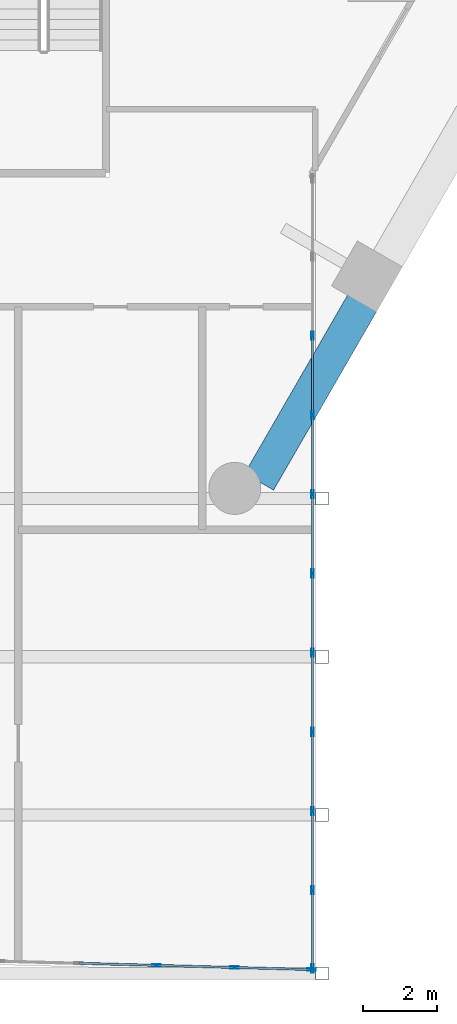
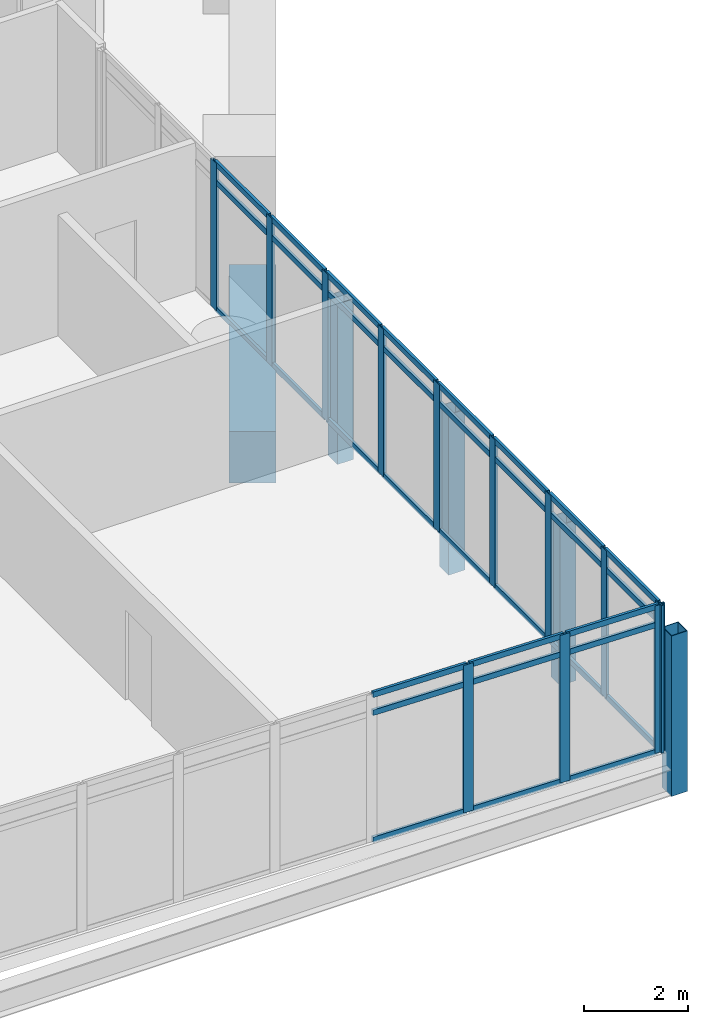
# One storey, part 10 of 28: 49 members, 1 beam, 2 elements without a shape of their own.
"""IFC4 building model written with IfcOpenShell, lengths in metres."""

from ifc_helpers import new_model, si_unit, direction, frame, origin, origin_2d, place, context, subcontext, project, spatial, rectangle, hollow_rectangle, extrude, material, material_profile, profile_set, type_object, element, aggregate, save


model = new_model("IFC4")

# Units and contexts
model_context = context("Model", 3, precision=1e-05, world=origin(), true_north=direction((0.0, 1.0)))
body_context = subcontext(model_context, "Body", "Model", "MODEL_VIEW")
ifc_project = project(units=[si_unit("LENGTHUNIT", "METRE"), si_unit("AREAUNIT", "SQUARE_METRE"), si_unit("VOLUMEUNIT", "CUBIC_METRE"), si_unit("PLANEANGLEUNIT", "RADIAN"), si_unit("MASSUNIT", "GRAM", prefix="KILO")], contexts=[model_context])

# Site, building, storey
site_placement = place(None, origin())
site = spatial("IfcSite", under=ifc_project, at=site_placement, CompositionType="ELEMENT")
building_placement = place(site_placement, origin())
building = spatial("IfcBuilding", under=site, at=building_placement, Name="Ostrander Bayou Hotel Tower", CompositionType="ELEMENT")
storey_placement = place(building_placement, frame((0.0, 0.0, 73.0)))
storey = spatial("IfcBuildingStorey", under=building, at=storey_placement, Name="L18", CompositionType="ELEMENT", Elevation=73.0)

# Curtain wall, members
ifc_material_1 = material(Name="Aluminium and clear glass", Category="aluminium")
curtain_wall_type = type_object("IfcCurtainWallType", Name="CW-BAR glazed wall", PredefinedType="NOTDEFINED", material=ifc_material_1)
curtain_wall_1_placement = place(storey_placement, origin())
curtain_wall_1 = element("IfcCurtainWall", 1, at=curtain_wall_1_placement, inside=storey, type_object=curtain_wall_type, Name="CW-BAR L18:SB1S:T", PredefinedType="NOTDEFINED")
ifc_material_2 = material(Name="Aluminium", Category="aluminium")
ifc_material_profile_1 = material_profile(ifc_material_2, hollow_rectangle(XDim=0.06005859375, YDim=0.219970703125, WallThickness=0.00390625, at=origin_2d()))
ifc_profile_set_1 = profile_set([ifc_material_profile_1], Name="Aluminium")
member_type_1 = type_object("IfcMemberType", Name="CW-BR mullion 60 x 220 mm", PredefinedType="MULLION", material=ifc_profile_set_1)
member_1_placement = place(storey_placement, frame((10.5087890625, -32.734375, 0.0), z_axis=(0.0, 0.0, 1.0), x_axis=(0.027042484848, 0.999634285133, 0.0)))
member_1 = element("IfcMember", 2, at=member_1_placement, type_object=member_type_1, Name="CW-BAR mullion 13", PredefinedType="MULLION", context=body_context, shape_type="SweptSolid", body=[
    extrude(hollow_rectangle(XDim=0.06005859375, YDim=0.219970703125, WallThickness=0.00390625, at=origin_2d()), origin(), (0.0, 0.0, 1.0), 3.449951171875),
])
member_2_placement = place(storey_placement, frame((12.6103515625, -32.791259765625, 0.0), z_axis=(0.0, 0.0, 1.0), x_axis=(0.027042484848, 0.999634285133, 0.0)))
member_2 = element("IfcMember", 3, at=member_2_placement, type_object=member_type_1, Name="CW-BAR mullion 14", PredefinedType="MULLION", context=body_context, shape_type="SweptSolid", body=[
    extrude(hollow_rectangle(XDim=0.06005859375, YDim=0.219970703125, WallThickness=0.00390625, at=origin_2d()), origin(), (0.0, 0.0, 1.0), 3.449951171875),
])
member_3_placement = place(storey_placement, frame((14.68212890625, -32.84716796875, 0.0), z_axis=(0.0, 0.0, 1.0), x_axis=(0.027042484848, 0.999634285133, 0.0)))
member_3 = element("IfcMember", 4, at=member_3_placement, type_object=member_type_1, Name="CW-BAR mullion 15", PredefinedType="MULLION", context=body_context, shape_type="SweptSolid", body=[
    extrude(hollow_rectangle(XDim=0.06005859375, YDim=0.219970703125, WallThickness=0.00390625, at=origin_2d()), origin(), (0.0, 0.0, 1.0), 3.449951171875),
])

curtain_wall_2_placement = place(storey_placement, origin())
curtain_wall_2 = element("IfcCurtainWall", 5, at=curtain_wall_2_placement, inside=storey, type_object=curtain_wall_type, Name="CW-BAR L18:SB1S:W", PredefinedType="NOTDEFINED")
member_4_placement = place(storey_placement, frame((14.712158203125, -15.78369140625, 0.0), z_axis=(0.0, 0.0, 1.0), x_axis=(1.0, 0.0, 0.0)))
member_4 = element("IfcMember", 6, at=member_4_placement, type_object=member_type_1, Name="CW-BAR mullion 3", PredefinedType="MULLION", context=body_context, shape_type="SweptSolid", body=[
    extrude(hollow_rectangle(XDim=0.06005859375, YDim=0.219970703125, WallThickness=0.00390625, at=origin_2d()), origin(), (0.0, 0.0, 1.0), 3.449951171875),
])
member_5_placement = place(storey_placement, frame((14.712158203125, -17.916748046875, 0.0), z_axis=(0.0, 0.0, 1.0), x_axis=(1.0, 0.0, 0.0)))
member_5 = element("IfcMember", 7, at=member_5_placement, type_object=member_type_1, Name="CW-BAR mullion 4", PredefinedType="MULLION", context=body_context, shape_type="SweptSolid", body=[
    extrude(hollow_rectangle(XDim=0.06005859375, YDim=0.219970703125, WallThickness=0.00390625, at=origin_2d()), origin(), (0.0, 0.0, 1.0), 3.449951171875),
])
member_6_placement = place(storey_placement, frame((14.712158203125, -20.0498046875, 0.0), z_axis=(0.0, 0.0, 1.0), x_axis=(1.0, 0.0, 0.0)))
member_6 = element("IfcMember", 8, at=member_6_placement, type_object=member_type_1, Name="CW-BAR mullion 5", PredefinedType="MULLION", context=body_context, shape_type="SweptSolid", body=[
    extrude(hollow_rectangle(XDim=0.06005859375, YDim=0.219970703125, WallThickness=0.00390625, at=origin_2d()), origin(), (0.0, 0.0, 1.0), 3.449951171875),
])
member_7_placement = place(storey_placement, frame((14.712158203125, -22.182861328125, 0.0), z_axis=(0.0, 0.0, 1.0), x_axis=(1.0, 0.0, 0.0)))
member_7 = element("IfcMember", 9, at=member_7_placement, type_object=member_type_1, Name="CW-BAR mullion 6", PredefinedType="MULLION", context=body_context, shape_type="SweptSolid", body=[
    extrude(hollow_rectangle(XDim=0.06005859375, YDim=0.219970703125, WallThickness=0.00390625, at=origin_2d()), origin(), (0.0, 0.0, 1.0), 3.449951171875),
])
member_8_placement = place(storey_placement, frame((14.712158203125, -24.31591796875, 0.0), z_axis=(0.0, 0.0, 1.0), x_axis=(1.0, 0.0, 0.0)))
member_8 = element("IfcMember", 10, at=member_8_placement, type_object=member_type_1, Name="CW-BAR mullion 7", PredefinedType="MULLION", context=body_context, shape_type="SweptSolid", body=[
    extrude(hollow_rectangle(XDim=0.06005859375, YDim=0.219970703125, WallThickness=0.00390625, at=origin_2d()), origin(), (0.0, 0.0, 1.0), 3.449951171875),
])
member_9_placement = place(storey_placement, frame((14.712158203125, -26.448974609375, 0.0), z_axis=(0.0, 0.0, 1.0), x_axis=(1.0, 0.0, 0.0)))
member_9 = element("IfcMember", 11, at=member_9_placement, type_object=member_type_1, Name="CW-BAR mullion 8", PredefinedType="MULLION", context=body_context, shape_type="SweptSolid", body=[
    extrude(hollow_rectangle(XDim=0.06005859375, YDim=0.219970703125, WallThickness=0.00390625, at=origin_2d()), origin(), (0.0, 0.0, 1.0), 3.449951171875),
])
member_10_placement = place(storey_placement, frame((14.712158203125, -28.58203125, 0.0), z_axis=(0.0, 0.0, 1.0), x_axis=(1.0, 0.0, 0.0)))
member_10 = element("IfcMember", 12, at=member_10_placement, type_object=member_type_1, Name="CW-BAR mullion 9", PredefinedType="MULLION", context=body_context, shape_type="SweptSolid", body=[
    extrude(hollow_rectangle(XDim=0.06005859375, YDim=0.219970703125, WallThickness=0.00390625, at=origin_2d()), origin(), (0.0, 0.0, 1.0), 3.449951171875),
])
member_11_placement = place(storey_placement, frame((14.712158203125, -30.715087890625, 0.0), z_axis=(0.0, 0.0, 1.0), x_axis=(1.0, 0.0, 0.0)))
member_11 = element("IfcMember", 13, at=member_11_placement, type_object=member_type_1, Name="CW-BAR mullion 10", PredefinedType="MULLION", context=body_context, shape_type="SweptSolid", body=[
    extrude(hollow_rectangle(XDim=0.06005859375, YDim=0.219970703125, WallThickness=0.00390625, at=origin_2d()), origin(), (0.0, 0.0, 1.0), 3.449951171875),
])
member_12_placement = place(storey_placement, frame((14.712158203125, -32.818115234375, 0.0), z_axis=(0.0, 0.0, 1.0), x_axis=(1.0, 0.0, 0.0)))
member_12 = element("IfcMember", 14, at=member_12_placement, type_object=member_type_1, Name="CW-BAR mullion 11", PredefinedType="MULLION", context=body_context, shape_type="SweptSolid", body=[
    extrude(hollow_rectangle(XDim=0.06005859375, YDim=0.219970703125, WallThickness=0.00390625, at=origin_2d()), origin(), (0.0, 0.0, 1.0), 3.449951171875),
])

# Member
ifc_material_3 = material(Name="Aluminium", Category="aluminium")
ifc_material_profile_2 = material_profile(ifc_material_3, hollow_rectangle(XDim=0.06005859375, YDim=0.1298828125, WallThickness=0.00390625, at=origin_2d()))
ifc_profile_set_2 = profile_set([ifc_material_profile_2], Name="Aluminium")
member_type_2 = type_object("IfcMemberType", Name="CW-BR transom 60 x 130 mm", PredefinedType="USERDEFINED", material=ifc_profile_set_2)
member_13_placement = place(storey_placement, frame((8.43701171875, -32.67822265625, 0.030029296875), z_axis=(0.999635057116, -0.027013933147, 0.0), x_axis=(0.027013933147, 0.999635057116, 0.0)))
member_13 = element("IfcMember", 15, at=member_13_placement, type_object=member_type_2, Name="CW-BAR transom 12.1", ObjectType="TRANSOM", PredefinedType="USERDEFINED", context=body_context, shape_type="SweptSolid", body=[
    extrude(hollow_rectangle(XDim=0.06005859375, YDim=0.1298828125, WallThickness=0.00390625, at=origin_2d()), origin(), (0.0, 0.0, 1.0), 2.04248046875),
])

member_14_placement = place(storey_placement, frame((8.43701171875, -32.67822265625, 3.0), z_axis=(0.999635057116, -0.027013933147, 0.0), x_axis=(0.027013933147, 0.999635057116, 0.0)))
member_14 = element("IfcMember", 16, at=member_14_placement, type_object=member_type_2, Name="CW-BAR transom 12.2", ObjectType="TRANSOM", PredefinedType="USERDEFINED", context=body_context, shape_type="SweptSolid", body=[
    extrude(hollow_rectangle(XDim=0.06005859375, YDim=0.1298828125, WallThickness=0.00390625, at=origin_2d()), origin(), (0.0, 0.0, 1.0), 2.04248046875),
])

member_15_placement = place(storey_placement, frame((8.43701171875, -32.67822265625, 3.419921875), z_axis=(0.999635057116, -0.027013933147, 0.0), x_axis=(0.027013933147, 0.999635057116, 0.0)))
member_15 = element("IfcMember", 17, at=member_15_placement, type_object=member_type_2, Name="CW-BAR transom 12.3", ObjectType="TRANSOM", PredefinedType="USERDEFINED", context=body_context, shape_type="SweptSolid", body=[
    extrude(hollow_rectangle(XDim=0.06005859375, YDim=0.1298828125, WallThickness=0.00390625, at=origin_2d()), origin(), (0.0, 0.0, 1.0), 2.04248046875),
])

member_16_placement = place(storey_placement, frame((10.538818359375, -32.735107421875, 0.030029296875), z_axis=(0.999635057116, -0.027013933147, 0.0), x_axis=(0.027013933147, 0.999635057116, 0.0)))
member_16 = element("IfcMember", 18, at=member_16_placement, type_object=member_type_2, Name="CW-BAR transom 13.1", ObjectType="TRANSOM", PredefinedType="USERDEFINED", context=body_context, shape_type="SweptSolid", body=[
    extrude(hollow_rectangle(XDim=0.06005859375, YDim=0.1298828125, WallThickness=0.00390625, at=origin_2d()), origin(), (0.0, 0.0, 1.0), 2.04248046875),
])

member_17_placement = place(storey_placement, frame((10.538818359375, -32.735107421875, 3.0), z_axis=(0.999635057116, -0.027013933147, 0.0), x_axis=(0.027013933147, 0.999635057116, 0.0)))
member_17 = element("IfcMember", 19, at=member_17_placement, type_object=member_type_2, Name="CW-BAR transom 13.2", ObjectType="TRANSOM", PredefinedType="USERDEFINED", context=body_context, shape_type="SweptSolid", body=[
    extrude(hollow_rectangle(XDim=0.06005859375, YDim=0.1298828125, WallThickness=0.00390625, at=origin_2d()), origin(), (0.0, 0.0, 1.0), 2.04248046875),
])

member_18_placement = place(storey_placement, frame((10.538818359375, -32.735107421875, 3.419921875), z_axis=(0.999635057116, -0.027013933147, 0.0), x_axis=(0.027013933147, 0.999635057116, 0.0)))
member_18 = element("IfcMember", 20, at=member_18_placement, type_object=member_type_2, Name="CW-BAR transom 13.3", ObjectType="TRANSOM", PredefinedType="USERDEFINED", context=body_context, shape_type="SweptSolid", body=[
    extrude(hollow_rectangle(XDim=0.06005859375, YDim=0.1298828125, WallThickness=0.00390625, at=origin_2d()), origin(), (0.0, 0.0, 1.0), 2.04248046875),
])

member_19_placement = place(storey_placement, frame((12.640380859375, -32.7919921875, 0.030029296875), z_axis=(0.999634083934, -0.027049921213, 0.0), x_axis=(0.027049921213, 0.999634083934, 0.0)))
member_19 = element("IfcMember", 21, at=member_19_placement, type_object=member_type_2, Name="CW-BAR transom 14.1", ObjectType="TRANSOM", PredefinedType="USERDEFINED", context=body_context, shape_type="SweptSolid", body=[
    extrude(hollow_rectangle(XDim=0.06005859375, YDim=0.1298828125, WallThickness=0.00390625, at=origin_2d()), origin(), (0.0, 0.0, 1.0), 2.0126953125),
])

member_20_placement = place(storey_placement, frame((12.640380859375, -32.7919921875, 3.0), z_axis=(0.999634083934, -0.027049921213, 0.0), x_axis=(0.027049921213, 0.999634083934, 0.0)))
member_20 = element("IfcMember", 22, at=member_20_placement, type_object=member_type_2, Name="CW-BAR transom 14.2", ObjectType="TRANSOM", PredefinedType="USERDEFINED", context=body_context, shape_type="SweptSolid", body=[
    extrude(hollow_rectangle(XDim=0.06005859375, YDim=0.1298828125, WallThickness=0.00390625, at=origin_2d()), origin(), (0.0, 0.0, 1.0), 2.0126953125),
])

member_21_placement = place(storey_placement, frame((12.640380859375, -32.7919921875, 3.419921875), z_axis=(0.999634083934, -0.027049921213, 0.0), x_axis=(0.027049921213, 0.999634083934, 0.0)))
member_21 = element("IfcMember", 23, at=member_21_placement, type_object=member_type_2, Name="CW-BAR transom 14.3", ObjectType="TRANSOM", PredefinedType="USERDEFINED", context=body_context, shape_type="SweptSolid", body=[
    extrude(hollow_rectangle(XDim=0.06005859375, YDim=0.1298828125, WallThickness=0.00390625, at=origin_2d()), origin(), (0.0, 0.0, 1.0), 2.0126953125),
])

aggregate(curtain_wall_1, [member_1, member_2, member_3, member_13, member_14, member_15, member_16, member_17, member_18, member_19, member_20, member_21])

member_22_placement = place(storey_placement, frame((14.712158203125, -15.813720703125, 0.030029296875), z_axis=(0.0, -1.0, 0.0), x_axis=(1.0, 0.0, 0.0)))
member_22 = element("IfcMember", 24, at=member_22_placement, type_object=member_type_2, Name="CW-BAR transom 3.1", ObjectType="TRANSOM", PredefinedType="USERDEFINED", context=body_context, shape_type="SweptSolid", body=[
    extrude(hollow_rectangle(XDim=0.06005859375, YDim=0.1298828125, WallThickness=0.00390625, at=origin_2d()), origin(), (0.0, 0.0, 1.0), 2.072998046875),
])

member_23_placement = place(storey_placement, frame((14.712158203125, -15.813720703125, 3.0), z_axis=(0.0, -1.0, 0.0), x_axis=(1.0, 0.0, 0.0)))
member_23 = element("IfcMember", 25, at=member_23_placement, type_object=member_type_2, Name="CW-BAR transom 3.2", ObjectType="TRANSOM", PredefinedType="USERDEFINED", context=body_context, shape_type="SweptSolid", body=[
    extrude(hollow_rectangle(XDim=0.06005859375, YDim=0.1298828125, WallThickness=0.00390625, at=origin_2d()), origin(), (0.0, 0.0, 1.0), 2.072998046875),
])

member_24_placement = place(storey_placement, frame((14.712158203125, -15.813720703125, 3.419921875), z_axis=(0.0, -1.0, 0.0), x_axis=(1.0, 0.0, 0.0)))
member_24 = element("IfcMember", 26, at=member_24_placement, type_object=member_type_2, Name="CW-BAR transom 3.3", ObjectType="TRANSOM", PredefinedType="USERDEFINED", context=body_context, shape_type="SweptSolid", body=[
    extrude(hollow_rectangle(XDim=0.06005859375, YDim=0.1298828125, WallThickness=0.00390625, at=origin_2d()), origin(), (0.0, 0.0, 1.0), 2.072998046875),
])

member_25_placement = place(storey_placement, frame((14.712158203125, -17.94677734375, 0.030029296875), z_axis=(0.0, -1.0, 0.0), x_axis=(1.0, 0.0, 0.0)))
member_25 = element("IfcMember", 27, at=member_25_placement, type_object=member_type_2, Name="CW-BAR transom 4.1", ObjectType="TRANSOM", PredefinedType="USERDEFINED", context=body_context, shape_type="SweptSolid", body=[
    extrude(hollow_rectangle(XDim=0.06005859375, YDim=0.1298828125, WallThickness=0.00390625, at=origin_2d()), origin(), (0.0, 0.0, 1.0), 2.072998046875),
])

member_26_placement = place(storey_placement, frame((14.712158203125, -17.94677734375, 3.0), z_axis=(0.0, -1.0, 0.0), x_axis=(1.0, 0.0, 0.0)))
member_26 = element("IfcMember", 28, at=member_26_placement, type_object=member_type_2, Name="CW-BAR transom 4.2", ObjectType="TRANSOM", PredefinedType="USERDEFINED", context=body_context, shape_type="SweptSolid", body=[
    extrude(hollow_rectangle(XDim=0.06005859375, YDim=0.1298828125, WallThickness=0.00390625, at=origin_2d()), origin(), (0.0, 0.0, 1.0), 2.072998046875),
])

member_27_placement = place(storey_placement, frame((14.712158203125, -17.94677734375, 3.419921875), z_axis=(0.0, -1.0, 0.0), x_axis=(1.0, 0.0, 0.0)))
member_27 = element("IfcMember", 29, at=member_27_placement, type_object=member_type_2, Name="CW-BAR transom 4.3", ObjectType="TRANSOM", PredefinedType="USERDEFINED", context=body_context, shape_type="SweptSolid", body=[
    extrude(hollow_rectangle(XDim=0.06005859375, YDim=0.1298828125, WallThickness=0.00390625, at=origin_2d()), origin(), (0.0, 0.0, 1.0), 2.072998046875),
])

member_28_placement = place(storey_placement, frame((14.712158203125, -20.079833984375, 0.030029296875), z_axis=(0.0, -1.0, 0.0), x_axis=(1.0, 0.0, 0.0)))
member_28 = element("IfcMember", 30, at=member_28_placement, type_object=member_type_2, Name="CW-BAR transom 5.1", ObjectType="TRANSOM", PredefinedType="USERDEFINED", context=body_context, shape_type="SweptSolid", body=[
    extrude(hollow_rectangle(XDim=0.06005859375, YDim=0.1298828125, WallThickness=0.00390625, at=origin_2d()), origin(), (0.0, 0.0, 1.0), 2.072998046875),
])

member_29_placement = place(storey_placement, frame((14.712158203125, -20.079833984375, 3.0), z_axis=(0.0, -1.0, 0.0), x_axis=(1.0, 0.0, 0.0)))
member_29 = element("IfcMember", 31, at=member_29_placement, type_object=member_type_2, Name="CW-BAR transom 5.2", ObjectType="TRANSOM", PredefinedType="USERDEFINED", context=body_context, shape_type="SweptSolid", body=[
    extrude(hollow_rectangle(XDim=0.06005859375, YDim=0.1298828125, WallThickness=0.00390625, at=origin_2d()), origin(), (0.0, 0.0, 1.0), 2.072998046875),
])

member_30_placement = place(storey_placement, frame((14.712158203125, -20.079833984375, 3.419921875), z_axis=(0.0, -1.0, 0.0), x_axis=(1.0, 0.0, 0.0)))
member_30 = element("IfcMember", 32, at=member_30_placement, type_object=member_type_2, Name="CW-BAR transom 5.3", ObjectType="TRANSOM", PredefinedType="USERDEFINED", context=body_context, shape_type="SweptSolid", body=[
    extrude(hollow_rectangle(XDim=0.06005859375, YDim=0.1298828125, WallThickness=0.00390625, at=origin_2d()), origin(), (0.0, 0.0, 1.0), 2.072998046875),
])

member_31_placement = place(storey_placement, frame((14.712158203125, -22.212890625, 0.030029296875), z_axis=(0.0, -1.0, 0.0), x_axis=(1.0, 0.0, 0.0)))
member_31 = element("IfcMember", 33, at=member_31_placement, type_object=member_type_2, Name="CW-BAR transom 6.1", ObjectType="TRANSOM", PredefinedType="USERDEFINED", context=body_context, shape_type="SweptSolid", body=[
    extrude(hollow_rectangle(XDim=0.06005859375, YDim=0.1298828125, WallThickness=0.00390625, at=origin_2d()), origin(), (0.0, 0.0, 1.0), 2.072998046875),
])

member_32_placement = place(storey_placement, frame((14.712158203125, -22.212890625, 3.0), z_axis=(0.0, -1.0, 0.0), x_axis=(1.0, 0.0, 0.0)))
member_32 = element("IfcMember", 34, at=member_32_placement, type_object=member_type_2, Name="CW-BAR transom 6.2", ObjectType="TRANSOM", PredefinedType="USERDEFINED", context=body_context, shape_type="SweptSolid", body=[
    extrude(hollow_rectangle(XDim=0.06005859375, YDim=0.1298828125, WallThickness=0.00390625, at=origin_2d()), origin(), (0.0, 0.0, 1.0), 2.072998046875),
])

member_33_placement = place(storey_placement, frame((14.712158203125, -22.212890625, 3.419921875), z_axis=(0.0, -1.0, 0.0), x_axis=(1.0, 0.0, 0.0)))
member_33 = element("IfcMember", 35, at=member_33_placement, type_object=member_type_2, Name="CW-BAR transom 6.3", ObjectType="TRANSOM", PredefinedType="USERDEFINED", context=body_context, shape_type="SweptSolid", body=[
    extrude(hollow_rectangle(XDim=0.06005859375, YDim=0.1298828125, WallThickness=0.00390625, at=origin_2d()), origin(), (0.0, 0.0, 1.0), 2.072998046875),
])

member_34_placement = place(storey_placement, frame((14.712158203125, -24.345947265625, 0.030029296875), z_axis=(0.0, -1.0, 0.0), x_axis=(1.0, 0.0, 0.0)))
member_34 = element("IfcMember", 36, at=member_34_placement, type_object=member_type_2, Name="CW-BAR transom 7.1", ObjectType="TRANSOM", PredefinedType="USERDEFINED", context=body_context, shape_type="SweptSolid", body=[
    extrude(hollow_rectangle(XDim=0.06005859375, YDim=0.1298828125, WallThickness=0.00390625, at=origin_2d()), origin(), (0.0, 0.0, 1.0), 2.072998046875),
])

member_35_placement = place(storey_placement, frame((14.712158203125, -24.345947265625, 3.0), z_axis=(0.0, -1.0, 0.0), x_axis=(1.0, 0.0, 0.0)))
member_35 = element("IfcMember", 37, at=member_35_placement, type_object=member_type_2, Name="CW-BAR transom 7.2", ObjectType="TRANSOM", PredefinedType="USERDEFINED", context=body_context, shape_type="SweptSolid", body=[
    extrude(hollow_rectangle(XDim=0.06005859375, YDim=0.1298828125, WallThickness=0.00390625, at=origin_2d()), origin(), (0.0, 0.0, 1.0), 2.072998046875),
])

member_36_placement = place(storey_placement, frame((14.712158203125, -24.345947265625, 3.419921875), z_axis=(0.0, -1.0, 0.0), x_axis=(1.0, 0.0, 0.0)))
member_36 = element("IfcMember", 38, at=member_36_placement, type_object=member_type_2, Name="CW-BAR transom 7.3", ObjectType="TRANSOM", PredefinedType="USERDEFINED", context=body_context, shape_type="SweptSolid", body=[
    extrude(hollow_rectangle(XDim=0.06005859375, YDim=0.1298828125, WallThickness=0.00390625, at=origin_2d()), origin(), (0.0, 0.0, 1.0), 2.072998046875),
])

member_37_placement = place(storey_placement, frame((14.712158203125, -26.47900390625, 0.030029296875), z_axis=(0.0, -1.0, 0.0), x_axis=(1.0, 0.0, 0.0)))
member_37 = element("IfcMember", 39, at=member_37_placement, type_object=member_type_2, Name="CW-BAR transom 8.1", ObjectType="TRANSOM", PredefinedType="USERDEFINED", context=body_context, shape_type="SweptSolid", body=[
    extrude(hollow_rectangle(XDim=0.06005859375, YDim=0.1298828125, WallThickness=0.00390625, at=origin_2d()), origin(), (0.0, 0.0, 1.0), 2.072998046875),
])

member_38_placement = place(storey_placement, frame((14.712158203125, -26.47900390625, 3.0), z_axis=(0.0, -1.0, 0.0), x_axis=(1.0, 0.0, 0.0)))
member_38 = element("IfcMember", 40, at=member_38_placement, type_object=member_type_2, Name="CW-BAR transom 8.2", ObjectType="TRANSOM", PredefinedType="USERDEFINED", context=body_context, shape_type="SweptSolid", body=[
    extrude(hollow_rectangle(XDim=0.06005859375, YDim=0.1298828125, WallThickness=0.00390625, at=origin_2d()), origin(), (0.0, 0.0, 1.0), 2.072998046875),
])

member_39_placement = place(storey_placement, frame((14.712158203125, -26.47900390625, 3.419921875), z_axis=(0.0, -1.0, 0.0), x_axis=(1.0, 0.0, 0.0)))
member_39 = element("IfcMember", 41, at=member_39_placement, type_object=member_type_2, Name="CW-BAR transom 8.3", ObjectType="TRANSOM", PredefinedType="USERDEFINED", context=body_context, shape_type="SweptSolid", body=[
    extrude(hollow_rectangle(XDim=0.06005859375, YDim=0.1298828125, WallThickness=0.00390625, at=origin_2d()), origin(), (0.0, 0.0, 1.0), 2.072998046875),
])

member_40_placement = place(storey_placement, frame((14.712158203125, -28.612060546875, 0.030029296875), z_axis=(0.0, -1.0, 0.0), x_axis=(1.0, 0.0, 0.0)))
member_40 = element("IfcMember", 42, at=member_40_placement, type_object=member_type_2, Name="CW-BAR transom 9.1", ObjectType="TRANSOM", PredefinedType="USERDEFINED", context=body_context, shape_type="SweptSolid", body=[
    extrude(hollow_rectangle(XDim=0.06005859375, YDim=0.1298828125, WallThickness=0.00390625, at=origin_2d()), origin(), (0.0, 0.0, 1.0), 2.072998046875),
])

member_41_placement = place(storey_placement, frame((14.712158203125, -28.612060546875, 3.0), z_axis=(0.0, -1.0, 0.0), x_axis=(1.0, 0.0, 0.0)))
member_41 = element("IfcMember", 43, at=member_41_placement, type_object=member_type_2, Name="CW-BAR transom 9.2", ObjectType="TRANSOM", PredefinedType="USERDEFINED", context=body_context, shape_type="SweptSolid", body=[
    extrude(hollow_rectangle(XDim=0.06005859375, YDim=0.1298828125, WallThickness=0.00390625, at=origin_2d()), origin(), (0.0, 0.0, 1.0), 2.072998046875),
])

member_42_placement = place(storey_placement, frame((14.712158203125, -28.612060546875, 3.419921875), z_axis=(0.0, -1.0, 0.0), x_axis=(1.0, 0.0, 0.0)))
member_42 = element("IfcMember", 44, at=member_42_placement, type_object=member_type_2, Name="CW-BAR transom 9.3", ObjectType="TRANSOM", PredefinedType="USERDEFINED", context=body_context, shape_type="SweptSolid", body=[
    extrude(hollow_rectangle(XDim=0.06005859375, YDim=0.1298828125, WallThickness=0.00390625, at=origin_2d()), origin(), (0.0, 0.0, 1.0), 2.072998046875),
])

member_43_placement = place(storey_placement, frame((14.712158203125, -30.744873046875, 0.030029296875), z_axis=(0.0, -1.0, 0.0), x_axis=(1.0, 0.0, 0.0)))
member_43 = element("IfcMember", 45, at=member_43_placement, type_object=member_type_2, Name="CW-BAR transom 10.1", ObjectType="TRANSOM", PredefinedType="USERDEFINED", context=body_context, shape_type="SweptSolid", body=[
    extrude(hollow_rectangle(XDim=0.06005859375, YDim=0.1298828125, WallThickness=0.00390625, at=origin_2d()), origin(), (0.0, 0.0, 1.0), 2.043212890625),
])

member_44_placement = place(storey_placement, frame((14.712158203125, -30.744873046875, 3.0), z_axis=(0.0, -1.0, 0.0), x_axis=(1.0, 0.0, 0.0)))
member_44 = element("IfcMember", 46, at=member_44_placement, type_object=member_type_2, Name="CW-BAR transom 10.2", ObjectType="TRANSOM", PredefinedType="USERDEFINED", context=body_context, shape_type="SweptSolid", body=[
    extrude(hollow_rectangle(XDim=0.06005859375, YDim=0.1298828125, WallThickness=0.00390625, at=origin_2d()), origin(), (0.0, 0.0, 1.0), 2.043212890625),
])

member_45_placement = place(storey_placement, frame((14.712158203125, -30.744873046875, 3.419921875), z_axis=(0.0, -1.0, 0.0), x_axis=(1.0, 0.0, 0.0)))
member_45 = element("IfcMember", 47, at=member_45_placement, type_object=member_type_2, Name="CW-BAR transom 10.3", ObjectType="TRANSOM", PredefinedType="USERDEFINED", context=body_context, shape_type="SweptSolid", body=[
    extrude(hollow_rectangle(XDim=0.06005859375, YDim=0.1298828125, WallThickness=0.00390625, at=origin_2d()), origin(), (0.0, 0.0, 1.0), 2.043212890625),
])

aggregate(curtain_wall_2, [member_4, member_5, member_6, member_7, member_8, member_9, member_10, member_11, member_12, member_22, member_23, member_24, member_25, member_26, member_27, member_28, member_29, member_30, member_31, member_32, member_33, member_34, member_35, member_36, member_37, member_38, member_39, member_40, member_41, member_42, member_43, member_44, member_45])

# Beam
ifc_material_4 = material(Name="Concrete f'c 70 MPa", Category="concrete")
ifc_material_profile_3 = material_profile(ifc_material_4, rectangle(XDim=0.89990234375, YDim=1.199951171875, at=origin_2d()))
ifc_profile_set_3 = profile_set([ifc_material_profile_3], Name="Concrete f'c 70 MPa")
beam_type = type_object("IfcBeamType", Name="SP1 spandrel beam 900 x 1200 mm f'c 70 MPa", PredefinedType="SPANDREL", material=ifc_profile_set_3)
beam_placement = place(storey_placement, frame((13.272216796875, -19.712158203125, -0.60009765625), z_axis=(0.499976681983, 0.866038866029, 0.0), x_axis=(-0.866038866029, 0.499976681983, 0.0)))
element("IfcBeam", 48, at=beam_placement, inside=storey, type_object=beam_type, Name="SP1 L18 SE-1", PredefinedType="SPANDREL", context=body_context, shape_type="SweptSolid", body=[
    extrude(rectangle(XDim=0.89990234375, YDim=1.199951171875, at=origin_2d()), origin(), (0.0, 0.0, 1.0), 5.569580078125),
])

# Members
ifc_material_5 = material(Name="Steel ASTM A500 Gr C", Category="steel")
ifc_material_profile_4 = material_profile(ifc_material_5, hollow_rectangle(XDim=0.355712890625, YDim=0.355712890625, WallThickness=0.0146484375, at=origin_2d()))
ifc_profile_set_4 = profile_set([ifc_material_profile_4], Name="Steel ASTM A500 Gr C")
member_type_3 = type_object("IfcMemberType", Name="TH1 bar hanger HSS14x14x5/8", PredefinedType="POST", material=ifc_profile_set_4)
for number, where, z_axis, x_axis, name in (
    (49, (14.965087890625, -20.162841796875, -0.921875), (0.0, 0.0, 1.0), (1.0, 0.0, 0.0), "TH1 SB1SB H1-3"),
    (50, (14.965087890625, -24.42529296875, -0.921875), (0.0, 0.0, 1.0), (1.0, 0.0, 0.0), "TH1 SB1SB H2-3"),
    (51, (14.965087890625, -28.6875, -0.921875), (0.0, 0.0, 1.0), (1.0, 0.0, 0.0), "TH1 SB1SB H3-3"),
    (52, (14.965087890625, -32.949951171875, -0.921875), (0.0, 0.0, 1.0), (1.0, 0.0, 0.0), "TH1 SB1SB H4-3"),
):
    element("IfcMember", number, at=place(storey_placement, frame(where, z_axis=z_axis, x_axis=x_axis)), inside=storey, type_object=member_type_3, Name=name, PredefinedType="POST", context=body_context, shape_type="SweptSolid", body=[
        extrude(hollow_rectangle(XDim=0.355712890625, YDim=0.355712890625, WallThickness=0.0146484375, at=origin_2d()), origin(), (0.0, 0.0, 1.0), 3.75),
    ])

save(model, "model.ifc")
